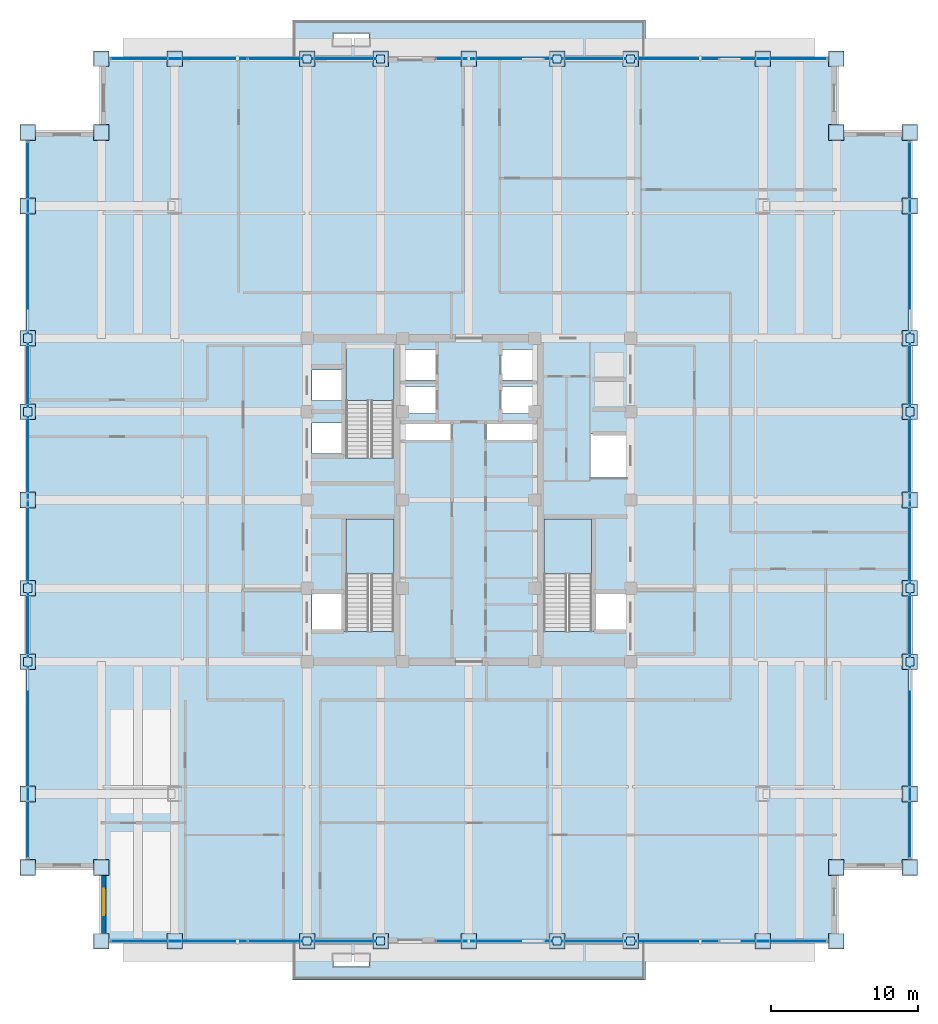
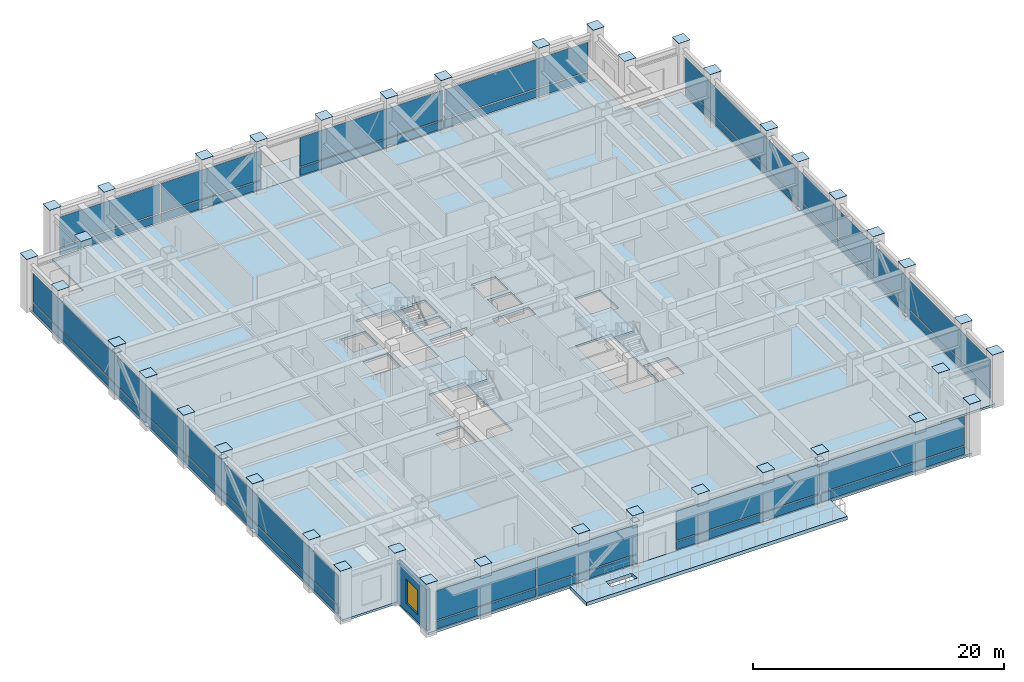
# One storey, part 22 of 33: 80 plates, 6 slabs, 1 wall, 1 window, 1 opening, 9 elements without a shape of their own.
"""IFC4 building model written with IfcOpenShell, lengths in metres."""

from ifc_helpers import new_model, si_unit, direction, frame, frame_2d, origin, origin_2d, place, context, subcontext, project, spatial, polyline, rectangle, outline, extrude, source, transform, mapped, material, layer, layer_set, type_object, element, fill, aggregate, save


model = new_model("IFC4")

# Units and contexts
model_context = context("Model", 3, precision=1e-05, world=origin(), true_north=direction((0.0, 1.0)))
body_context = subcontext(model_context, "Body", "Model", "MODEL_VIEW")
ifc_project = project(units=[si_unit("LENGTHUNIT", "METRE"), si_unit("AREAUNIT", "SQUARE_METRE"), si_unit("VOLUMEUNIT", "CUBIC_METRE"), si_unit("PLANEANGLEUNIT", "RADIAN"), si_unit("MASSUNIT", "GRAM", prefix="KILO")], contexts=[model_context])

# Site, building, storey
site_placement = place(None, origin())
site = spatial("IfcSite", under=ifc_project, at=site_placement, CompositionType="ELEMENT")
building_placement = place(site_placement, origin())
building = spatial("IfcBuilding", under=site, at=building_placement, Name="Khorayat Bourse Tower", CompositionType="ELEMENT")
storey_placement = place(building_placement, frame((0.0, 0.0, 263.10009765625)))
storey = spatial("IfcBuildingStorey", under=building, at=storey_placement, Name="L62", CompositionType="ELEMENT", Elevation=263.10009765625)

# Stair, slab
ifc_material_1 = material(Name="Concrete C40/50", Category="concrete")
stair_type = type_object("IfcStairType", Name="STR-CORE-1550", PredefinedType="HALF_TURN_STAIR", material=ifc_material_1)
stair_1_placement = place(storey_placement, origin())
stair_1 = element("IfcStair", 1, at=stair_1_placement, inside=storey, type_object=stair_type, Name="L62 Exit Stair ST-1", PredefinedType="HALF_TURN_STAIR")
ifc_layer_1 = layer(ifc_material_1, 0.199951171875)
ifc_layer_set_1 = layer_set([ifc_layer_1], Name="Concrete C40/50")
slab_type_1 = type_object("IfcSlabType", Name="SLB-LANDING-200", PredefinedType="LANDING", material=ifc_layer_set_1)
slab_1_placement = place(storey_placement, frame((0.0, 0.0, 2.39990234375)))
slab_1 = element("IfcSlab", 2, at=slab_1_placement, type_object=slab_type_1, Name="ST-1 landing 1", PredefinedType="LANDING", context=body_context, shape_type="SweptSolid", body=[
    extrude(outline(polyline([(-5.10009765625, -5.030029296875), (-5.10009765625, -1.300048828125), (-8.35009765625, -1.300048828125), (-8.35009765625, -5.030029296875), (-5.10009765625, -5.030029296875)])), origin(), (0.0, 0.0, 1.0), 0.199951171875),
])
aggregate(stair_1, [slab_1])

stair_2_placement = place(storey_placement, origin())
stair_2 = element("IfcStair", 3, at=stair_2_placement, inside=storey, type_object=stair_type, Name="L62 Exit Stair ST-2", PredefinedType="HALF_TURN_STAIR")
slab_2_placement = place(storey_placement, frame((0.0, 0.0, 2.39990234375)))
slab_2 = element("IfcSlab", 4, at=slab_2_placement, type_object=slab_type_1, Name="ST-2 landing 1", PredefinedType="LANDING", context=body_context, shape_type="SweptSolid", body=[
    extrude(outline(polyline([(-5.10009765625, 6.77001953125), (-5.10009765625, 10.5), (-8.35009765625, 10.5), (-8.35009765625, 6.77001953125), (-5.10009765625, 6.77001953125)])), origin(), (0.0, 0.0, 1.0), 0.199951171875),
])
aggregate(stair_2, [slab_2])

stair_3_placement = place(storey_placement, origin())
stair_3 = element("IfcStair", 5, at=stair_3_placement, inside=storey, type_object=stair_type, Name="L62 Exit Stair ST-3", PredefinedType="HALF_TURN_STAIR")
slab_3_placement = place(storey_placement, frame((0.0, 0.0, 2.39990234375)))
slab_3 = element("IfcSlab", 6, at=slab_3_placement, type_object=slab_type_1, Name="ST-3 landing 1", PredefinedType="LANDING", context=body_context, shape_type="SweptSolid", body=[
    extrude(outline(polyline([(8.35009765625, -5.030029296875), (8.35009765625, -1.300048828125), (5.10009765625, -1.300048828125), (5.10009765625, -5.030029296875), (8.35009765625, -5.030029296875)])), origin(), (0.0, 0.0, 1.0), 0.199951171875),
])
aggregate(stair_3, [slab_3])

# Slabs
ifc_layer_2 = layer(ifc_material_1, 0.219970703125)
ifc_layer_set_2 = layer_set([ifc_layer_2], Name="Concrete C40/50")
slab_type_2 = type_object("IfcSlabType", Name="SLB-OFFICE-220", PredefinedType="FLOOR", material=ifc_layer_set_2)
slab_4_placement = place(storey_placement, frame((0.0, 0.0, -0.22021484375)))
element("IfcSlab", 7, at=slab_4_placement, inside=storey, type_object=slab_type_2, Name="L62 Main Floor Slab", PredefinedType="FLOOR", context=body_context, shape_type="SweptSolid", body=[
    extrude(outline(polyline([(-25.0, -30.0), (25.0, -30.0), (25.0, -25.0), (30.0, -25.0), (30.0, 25.0), (25.0, 25.0), (25.0, 30.0), (-25.0, 30.0), (-25.0, 25.0), (-30.0, 25.0), (-30.0, -25.0), (-25.0, -25.0), (-25.0, -30.0)]), holes=[polyline([(-8.35009765625, -8.945068359375), (-5.10009765625, -8.945068359375), (-5.10009765625, -1.300048828125), (-8.35009765625, -1.300048828125), (-8.35009765625, -8.945068359375)]), polyline([(-8.35009765625, 2.85498046875), (-5.10009765625, 2.85498046875), (-5.10009765625, 10.5), (-8.35009765625, 10.5), (-8.35009765625, 2.85498046875)]), polyline([(5.10009765625, -8.945068359375), (8.35009765625, -8.945068359375), (8.35009765625, -1.300048828125), (5.10009765625, -1.300048828125), (5.10009765625, -8.945068359375)]), polyline([(-4.3798828125, 8.169921875), (-2.1201171875, 8.169921875), (-2.1201171875, 10.22998046875), (-4.3798828125, 10.22998046875), (-4.3798828125, 8.169921875)]), polyline([(2.1201171875, 8.169921875), (4.3798828125, 8.169921875), (4.3798828125, 10.22998046875), (2.1201171875, 10.22998046875), (2.1201171875, 8.169921875)]), polyline([(-4.3798828125, 5.8701171875), (-2.219970703125, 5.8701171875), (-2.219970703125, 7.72998046875), (-4.3798828125, 7.72998046875), (-4.3798828125, 5.8701171875)]), polyline([(2.219970703125, 5.8701171875), (4.3798828125, 5.8701171875), (4.3798828125, 7.72998046875), (2.219970703125, 7.72998046875), (2.219970703125, 5.8701171875)]), polyline([(-10.679931640625, 3.169921875), (-8.419921875, 3.169921875), (-8.419921875, 5.22998046875), (-10.679931640625, 5.22998046875), (-10.679931640625, 3.169921875)]), polyline([(-10.679931640625, 6.77001953125), (-8.419921875, 6.77001953125), (-8.419921875, 8.830078125), (-10.679931640625, 8.830078125), (-10.679931640625, 6.77001953125)]), polyline([(-10.679931640625, -8.929931640625), (-8.419921875, -8.929931640625), (-8.419921875, -6.3701171875), (-10.679931640625, -6.3701171875), (-10.679931640625, -8.929931640625)]), polyline([(8.419921875, -8.929931640625), (10.679931640625, -8.929931640625), (10.679931640625, -6.3701171875), (8.419921875, -6.3701171875), (8.419921875, -8.929931640625)]), polyline([(8.320068359375, 1.52001953125), (10.679931640625, 1.52001953125), (10.679931640625, 4.47998046875), (8.320068359375, 4.47998046875), (8.320068359375, 1.52001953125)]), polyline([(-4.56005859375, 4.080078125), (-1.18994140625, 4.080078125), (-1.18994140625, 5.219970703125), (-4.56005859375, 5.219970703125), (-4.56005859375, 4.080078125)]), polyline([(1.18994140625, 4.080078125), (4.56005859375, 4.080078125), (4.56005859375, 5.219970703125), (1.18994140625, 5.219970703125), (1.18994140625, 4.080078125)])]), origin(), (0.0, 0.0, 1.0), 0.22021484375),
])
ifc_layer_3 = layer(ifc_material_1, 0.340087890625)
ifc_layer_set_3 = layer_set([ifc_layer_3], Name="Concrete C40/50")
slab_type_3 = type_object("IfcSlabType", Name="SLB-SKYGARDEN-340", PredefinedType="FLOOR", material=ifc_layer_set_3)
slab_5_placement = place(storey_placement, frame((0.0, 0.0, -0.340087890625)))
element("IfcSlab", 8, at=slab_5_placement, inside=storey, type_object=slab_type_3, Name="L62 Planted Garden Terrace Slab 01", PredefinedType="FLOOR", context=body_context, shape_type="SweptSolid", body=[
    extrude(outline(polyline([(-12.0, 30.0), (12.0, 30.0), (12.0, 32.64990234375), (-12.0, 32.64990234375), (-12.0, 30.0)]), holes=[polyline([(-9.199951171875, 30.925048828125), (-6.800048828125, 30.925048828125), (-6.800048828125, 31.72509765625), (-9.199951171875, 31.72509765625), (-9.199951171875, 30.925048828125)])]), origin(), (0.0, 0.0, 1.0), 0.340087890625),
])
slab_6_placement = place(storey_placement, frame((0.0, 0.0, -0.340087890625)))
element("IfcSlab", 9, at=slab_6_placement, inside=storey, type_object=slab_type_3, Name="L62 Planted Garden Terrace Slab 02", PredefinedType="FLOOR", context=body_context, shape_type="SweptSolid", body=[
    extrude(outline(polyline([(-12.0, -32.64990234375), (12.0, -32.64990234375), (12.0, -30.0), (-12.0, -30.0), (-12.0, -32.64990234375)]), holes=[polyline([(-9.199951171875, -31.72509765625), (-6.800048828125, -31.72509765625), (-6.800048828125, -30.925048828125), (-9.199951171875, -30.925048828125), (-9.199951171875, -31.72509765625)])]), origin(), (0.0, 0.0, 1.0), 0.340087890625),
])

# Plates
ifc_material_2 = material(Name="Steel EN 10025-2 S355J2", Category="steel")
ifc_layer_4 = layer(ifc_material_2, 0.02490234375)
ifc_layer_set_4 = layer_set([ifc_layer_4], Name="Steel EN 10025-2 S355J2")
plate_type_1 = type_object("IfcPlateType", Name="PLT-ENDCAP-25", PredefinedType="SHEET", material=ifc_layer_set_4)
shared_shape_1 = source(origin(), body_context, "Body", "SweptSolid", [
    extrude(rectangle(XDim=0.56005859375, YDim=0.56005859375, at=origin_2d()), origin(), (0.0, 0.0, 1.0), 0.02490234375),
])
for number, where, z_axis, x_axis, name in (
    (10, (-11.0, -30.0, 0.237548828125), (0.0, 0.0, 1.0), (1.0, 0.0, 0.0), "L62 Perimeter Brace End Plate 001"),
    (11, (-6.0, -30.0, 4.33740234375), (0.0, 0.0, 1.0), (1.0, 0.0, 0.0), "L62 Perimeter Brace End Plate 002"),
    (12, (6.0, -30.0, 0.237548828125), (0.0, 0.0, 1.0), (1.0, 0.0, 0.0), "L62 Perimeter Brace End Plate 003"),
    (13, (11.0, -30.0, 4.33740234375), (0.0, 0.0, 1.0), (1.0, 0.0, 0.0), "L62 Perimeter Brace End Plate 004"),
    (14, (-11.0, 30.0, 0.237548828125), (0.0, 0.0, 1.0), (1.0, 0.0, 0.0), "L62 Perimeter Brace End Plate 005"),
    (15, (-6.0, 30.0, 4.33740234375), (0.0, 0.0, 1.0), (1.0, 0.0, 0.0), "L62 Perimeter Brace End Plate 006"),
    (16, (6.0, 30.0, 0.237548828125), (0.0, 0.0, 1.0), (1.0, 0.0, 0.0), "L62 Perimeter Brace End Plate 007"),
    (17, (11.0, 30.0, 4.33740234375), (0.0, 0.0, 1.0), (1.0, 0.0, 0.0), "L62 Perimeter Brace End Plate 008"),
    (18, (-30.0, -11.0, 0.237548828125), (0.0, 0.0, 1.0), (1.0, 0.0, 0.0), "L62 Perimeter Brace End Plate 009"),
    (19, (-30.0, -6.0, 4.33740234375), (0.0, 0.0, 1.0), (1.0, 0.0, 0.0), "L62 Perimeter Brace End Plate 010"),
    (20, (-30.0, 6.0, 0.237548828125), (0.0, 0.0, 1.0), (1.0, 0.0, 0.0), "L62 Perimeter Brace End Plate 011"),
    (21, (-30.0, 11.0, 4.33740234375), (0.0, 0.0, 1.0), (1.0, 0.0, 0.0), "L62 Perimeter Brace End Plate 012"),
    (22, (30.0, -11.0, 0.237548828125), (0.0, 0.0, 1.0), (1.0, 0.0, 0.0), "L62 Perimeter Brace End Plate 013"),
    (23, (30.0, -6.0, 4.33740234375), (0.0, 0.0, 1.0), (1.0, 0.0, 0.0), "L62 Perimeter Brace End Plate 014"),
    (24, (30.0, 6.0, 0.237548828125), (0.0, 0.0, 1.0), (1.0, 0.0, 0.0), "L62 Perimeter Brace End Plate 015"),
    (25, (30.0, 11.0, 4.33740234375), (0.0, 0.0, 1.0), (1.0, 0.0, 0.0), "L62 Perimeter Brace End Plate 016"),
):
    element("IfcPlate", number, at=place(storey_placement, frame(where, z_axis=z_axis, x_axis=x_axis)), inside=storey, type_object=plate_type_1, Name=name, PredefinedType="SHEET", context=body_context, shape_type="MappedRepresentation", body=[
        mapped(shared_shape_1, transform((0.0, 0.0, 0.0), scale=1.0)),
    ])
shared_shape_2 = source(origin(), body_context, "Body", "SweptSolid", [
    extrude(rectangle(XDim=1.06005859375, YDim=1.06005859375, at=origin_2d()), origin(), (0.0, 0.0, 1.0), 0.02490234375),
])
for number, where, z_axis, x_axis, name in (
    (26, (-30.0, -25.0, 5.199951171875), (0.0, 0.0, 1.0), (1.0, 0.0, 0.0), "L62 Column Top Endcap Plate 001"),
    (27, (-30.0, -20.0, 5.199951171875), (0.0, 0.0, 1.0), (1.0, 0.0, 0.0), "L62 Column Top Endcap Plate 002"),
    (28, (-30.0, -11.0, 5.199951171875), (0.0, 0.0, 1.0), (1.0, 0.0, 0.0), "L62 Column Top Endcap Plate 003"),
    (29, (-30.0, -6.0, 5.199951171875), (0.0, 0.0, 1.0), (1.0, 0.0, 0.0), "L62 Column Top Endcap Plate 004"),
    (30, (-30.0, 0.0, 5.199951171875), (0.0, 0.0, 1.0), (1.0, 0.0, 0.0), "L62 Column Top Endcap Plate 005"),
    (31, (-30.0, 6.0, 5.199951171875), (0.0, 0.0, 1.0), (1.0, 0.0, 0.0), "L62 Column Top Endcap Plate 006"),
    (32, (-30.0, 11.0, 5.199951171875), (0.0, 0.0, 1.0), (1.0, 0.0, 0.0), "L62 Column Top Endcap Plate 007"),
    (33, (-30.0, 20.0, 5.199951171875), (0.0, 0.0, 1.0), (1.0, 0.0, 0.0), "L62 Column Top Endcap Plate 008"),
    (34, (-30.0, 25.0, 5.199951171875), (0.0, 0.0, 1.0), (1.0, 0.0, 0.0), "L62 Column Top Endcap Plate 009"),
    (35, (-25.0, -30.0, 5.199951171875), (0.0, 0.0, 1.0), (1.0, 0.0, 0.0), "L62 Column Top Endcap Plate 010"),
    (36, (-25.0, -25.0, 5.199951171875), (0.0, 0.0, 1.0), (1.0, 0.0, 0.0), "L62 Column Top Endcap Plate 011"),
    (37, (-25.0, 25.0, 5.199951171875), (0.0, 0.0, 1.0), (1.0, 0.0, 0.0), "L62 Column Top Endcap Plate 012"),
    (38, (-25.0, 30.0, 5.199951171875), (0.0, 0.0, 1.0), (1.0, 0.0, 0.0), "L62 Column Top Endcap Plate 013"),
    (39, (-20.0, -30.0, 5.199951171875), (0.0, 0.0, 1.0), (1.0, 0.0, 0.0), "L62 Column Top Endcap Plate 014"),
    (40, (-20.0, 30.0, 5.199951171875), (0.0, 0.0, 1.0), (1.0, 0.0, 0.0), "L62 Column Top Endcap Plate 017"),
    (41, (-11.0, -30.0, 5.199951171875), (0.0, 0.0, 1.0), (1.0, 0.0, 0.0), "L62 Column Top Endcap Plate 018"),
    (42, (-11.0, 30.0, 5.199951171875), (0.0, 0.0, 1.0), (1.0, 0.0, 0.0), "L62 Column Top Endcap Plate 024"),
    (43, (-6.0, -30.0, 5.199951171875), (0.0, 0.0, 1.0), (1.0, 0.0, 0.0), "L62 Column Top Endcap Plate 025"),
    (44, (-6.0, 30.0, 5.199951171875), (0.0, 0.0, 1.0), (1.0, 0.0, 0.0), "L62 Column Top Endcap Plate 026"),
    (45, (0.0, -30.0, 5.199951171875), (0.0, 0.0, 1.0), (1.0, 0.0, 0.0), "L62 Column Top Endcap Plate 032"),
    (46, (0.0, 30.0, 5.199951171875), (0.0, 0.0, 1.0), (1.0, 0.0, 0.0), "L62 Column Top Endcap Plate 033"),
    (47, (6.0, -30.0, 5.199951171875), (0.0, 0.0, 1.0), (1.0, 0.0, 0.0), "L62 Column Top Endcap Plate 039"),
    (48, (6.0, 30.0, 5.199951171875), (0.0, 0.0, 1.0), (1.0, 0.0, 0.0), "L62 Column Top Endcap Plate 040"),
    (49, (11.0, -30.0, 5.199951171875), (0.0, 0.0, 1.0), (1.0, 0.0, 0.0), "L62 Column Top Endcap Plate 041"),
    (50, (11.0, 30.0, 5.199951171875), (0.0, 0.0, 1.0), (1.0, 0.0, 0.0), "L62 Column Top Endcap Plate 047"),
    (51, (20.0, -30.0, 5.199951171875), (0.0, 0.0, 1.0), (1.0, 0.0, 0.0), "L62 Column Top Endcap Plate 048"),
    (52, (20.0, 30.0, 5.199951171875), (0.0, 0.0, 1.0), (1.0, 0.0, 0.0), "L62 Column Top Endcap Plate 051"),
    (53, (25.0, -30.0, 5.199951171875), (0.0, 0.0, 1.0), (1.0, 0.0, 0.0), "L62 Column Top Endcap Plate 052"),
    (54, (25.0, -25.0, 5.199951171875), (0.0, 0.0, 1.0), (1.0, 0.0, 0.0), "L62 Column Top Endcap Plate 053"),
    (55, (25.0, 25.0, 5.199951171875), (0.0, 0.0, 1.0), (1.0, 0.0, 0.0), "L62 Column Top Endcap Plate 054"),
    (56, (25.0, 30.0, 5.199951171875), (0.0, 0.0, 1.0), (1.0, 0.0, 0.0), "L62 Column Top Endcap Plate 055"),
    (57, (30.0, -25.0, 5.199951171875), (0.0, 0.0, 1.0), (1.0, 0.0, 0.0), "L62 Column Top Endcap Plate 056"),
    (58, (30.0, -20.0, 5.199951171875), (0.0, 0.0, 1.0), (1.0, 0.0, 0.0), "L62 Column Top Endcap Plate 057"),
    (59, (30.0, -11.0, 5.199951171875), (0.0, 0.0, 1.0), (1.0, 0.0, 0.0), "L62 Column Top Endcap Plate 058"),
    (60, (30.0, -6.0, 5.199951171875), (0.0, 0.0, 1.0), (1.0, 0.0, 0.0), "L62 Column Top Endcap Plate 059"),
    (61, (30.0, 0.0, 5.199951171875), (0.0, 0.0, 1.0), (1.0, 0.0, 0.0), "L62 Column Top Endcap Plate 060"),
    (62, (30.0, 6.0, 5.199951171875), (0.0, 0.0, 1.0), (1.0, 0.0, 0.0), "L62 Column Top Endcap Plate 061"),
    (63, (30.0, 11.0, 5.199951171875), (0.0, 0.0, 1.0), (1.0, 0.0, 0.0), "L62 Column Top Endcap Plate 062"),
    (64, (30.0, 20.0, 5.199951171875), (0.0, 0.0, 1.0), (1.0, 0.0, 0.0), "L62 Column Top Endcap Plate 063"),
    (65, (30.0, 25.0, 5.199951171875), (0.0, 0.0, 1.0), (1.0, 0.0, 0.0), "L62 Column Top Endcap Plate 064"),
):
    element("IfcPlate", number, at=place(storey_placement, frame(where, z_axis=z_axis, x_axis=x_axis)), inside=storey, type_object=plate_type_1, Name=name, PredefinedType="SHEET", context=body_context, shape_type="MappedRepresentation", body=[
        mapped(shared_shape_2, transform((0.0, 0.0, 0.0), scale=1.0)),
    ])

# Curtain wall, plates
ifc_material_3 = material(Name="Aluminium EN AW-6063 T6", Category="aluminium")
curtain_wall_type = type_object("IfcCurtainWallType", Name="CW-SYS-05", PredefinedType="NOTDEFINED", material=ifc_material_3)
curtain_wall_1_placement = place(storey_placement, origin())
curtain_wall_1 = element("IfcCurtainWall", 66, at=curtain_wall_1_placement, inside=storey, type_object=curtain_wall_type, Name="L62 Curtain Wall CW-L62-S1", PredefinedType="NOTDEFINED")
ifc_material_4 = material(Name="Honed desert limestone insulated spandrel", Category="masonry")
ifc_layer_5 = layer(ifc_material_4, 0.06494140625)
ifc_layer_set_5 = layer_set([ifc_layer_5], Name="Honed desert limestone insulated spandrel")
plate_type_2 = type_object("IfcPlateType", Name="CWP-SPAND-03", PredefinedType="CURTAIN_PANEL", material=ifc_layer_set_5)
shared_shape_3 = source(origin(), body_context, "Body", "SweptSolid", [
    extrude(rectangle(XDim=9.18994140625, YDim=0.06494140625, at=origin_2d()), origin(), (0.0, 0.0, 1.0), 0.77001953125),
])
plate_1_placement = place(storey_placement, frame((-19.715087890625, -30.0, 0.119873046875), z_axis=(0.0, 0.0, 1.0), x_axis=(1.0, 0.0, 0.0)))
plate_1 = element("IfcPlate", 67, at=plate_1_placement, type_object=plate_type_2, Name="CW-L62-S1 Spandrel Panel 1-1", PredefinedType="CURTAIN_PANEL", context=body_context, shape_type="MappedRepresentation", body=[
    mapped(shared_shape_3, transform((0.0, 0.0, 0.0), scale=1.0)),
])
plate_2_placement = place(storey_placement, frame((-10.385009765625, -30.0, 0.119873046875), z_axis=(0.0, 0.0, 1.0), x_axis=(1.0, 0.0, 0.0)))
plate_2 = element("IfcPlate", 68, at=plate_2_placement, type_object=plate_type_2, Name="CW-L62-S1 Spandrel Panel 2-1", PredefinedType="CURTAIN_PANEL", context=body_context, shape_type="MappedRepresentation", body=[
    mapped(shared_shape_3, transform((0.0, 0.0, 0.0), scale=1.0)),
])

curtain_wall_2_placement = place(storey_placement, origin())
curtain_wall_2 = element("IfcCurtainWall", 69, at=curtain_wall_2_placement, inside=storey, type_object=curtain_wall_type, Name="L62 Curtain Wall CW-L62-N1", PredefinedType="NOTDEFINED")
plate_3_placement = place(storey_placement, frame((-19.715087890625, 30.0, 0.119873046875), z_axis=(0.0, 0.0, 1.0), x_axis=(1.0, 0.0, 0.0)))
plate_3 = element("IfcPlate", 70, at=plate_3_placement, type_object=plate_type_2, Name="CW-L62-N1 Spandrel Panel 1-1", PredefinedType="CURTAIN_PANEL", context=body_context, shape_type="MappedRepresentation", body=[
    mapped(shared_shape_3, transform((0.0, 0.0, 0.0), scale=1.0)),
])
plate_4_placement = place(storey_placement, frame((-10.385009765625, 30.0, 0.119873046875), z_axis=(0.0, 0.0, 1.0), x_axis=(1.0, 0.0, 0.0)))
plate_4 = element("IfcPlate", 71, at=plate_4_placement, type_object=plate_type_2, Name="CW-L62-N1 Spandrel Panel 2-1", PredefinedType="CURTAIN_PANEL", context=body_context, shape_type="MappedRepresentation", body=[
    mapped(shared_shape_3, transform((0.0, 0.0, 0.0), scale=1.0)),
])

# Plate
ifc_material_5 = material(Name="Low-E solar-control laminated double glazing", Category="glass")
ifc_layer_6 = layer(ifc_material_5, 0.035888671875)
ifc_layer_set_6 = layer_set([ifc_layer_6], Name="Low-E solar-control laminated double glazing")
plate_type_3 = type_object("IfcPlateType", Name="CWP-VIS-01", PredefinedType="CURTAIN_PANEL", material=ifc_layer_set_6)
shared_shape_4 = source(origin(), body_context, "Body", "SweptSolid", [
    extrude(rectangle(XDim=9.18994140625, YDim=0.035888671875, at=origin_2d()), origin(), (0.0, 0.0, 1.0), 2.820068359375),
])
plate_5_placement = place(storey_placement, frame((-19.715087890625, -30.0, 1.009765625), z_axis=(0.0, 0.0, 1.0), x_axis=(1.0, 0.0, 0.0)))
plate_5 = element("IfcPlate", 72, at=plate_5_placement, type_object=plate_type_3, Name="CW-L62-S1 Vision Panel 1-2", PredefinedType="CURTAIN_PANEL", context=body_context, shape_type="MappedRepresentation", body=[
    mapped(shared_shape_4, transform((0.0, 0.0, 0.0), scale=1.0)),
])

plate_6_placement = place(storey_placement, frame((-10.385009765625, -30.0, 1.009765625), z_axis=(0.0, 0.0, 1.0), x_axis=(1.0, 0.0, 0.0)))
plate_6 = element("IfcPlate", 73, at=plate_6_placement, type_object=plate_type_3, Name="CW-L62-S1 Vision Panel 2-2", PredefinedType="CURTAIN_PANEL", context=body_context, shape_type="MappedRepresentation", body=[
    mapped(shared_shape_4, transform((0.0, 0.0, 0.0), scale=1.0)),
])

aggregate(curtain_wall_1, [plate_1, plate_5, plate_2, plate_6])

plate_7_placement = place(storey_placement, frame((-19.715087890625, 30.0, 1.009765625), z_axis=(0.0, 0.0, 1.0), x_axis=(1.0, 0.0, 0.0)))
plate_7 = element("IfcPlate", 74, at=plate_7_placement, type_object=plate_type_3, Name="CW-L62-N1 Vision Panel 1-2", PredefinedType="CURTAIN_PANEL", context=body_context, shape_type="MappedRepresentation", body=[
    mapped(shared_shape_4, transform((0.0, 0.0, 0.0), scale=1.0)),
])

plate_8_placement = place(storey_placement, frame((-10.385009765625, 30.0, 1.009765625), z_axis=(0.0, 0.0, 1.0), x_axis=(1.0, 0.0, 0.0)))
plate_8 = element("IfcPlate", 75, at=plate_8_placement, type_object=plate_type_3, Name="CW-L62-N1 Vision Panel 2-2", PredefinedType="CURTAIN_PANEL", context=body_context, shape_type="MappedRepresentation", body=[
    mapped(shared_shape_4, transform((0.0, 0.0, 0.0), scale=1.0)),
])

aggregate(curtain_wall_2, [plate_3, plate_7, plate_4, plate_8])

# Curtain wall, plates
curtain_wall_3_placement = place(storey_placement, origin())
curtain_wall_3 = element("IfcCurtainWall", 76, at=curtain_wall_3_placement, inside=storey, type_object=curtain_wall_type, Name="L62 Curtain Wall CW-L62-S2", PredefinedType="NOTDEFINED")
shared_shape_5 = source(origin(), body_context, "Body", "SweptSolid", [
    extrude(rectangle(XDim=13.18994140625, YDim=0.06494140625, at=origin_2d()), origin(), (0.0, 0.0, 1.0), 0.77001953125),
])
plate_9_placement = place(storey_placement, frame((4.385009765625, -30.0, 0.119873046875), z_axis=(0.0, 0.0, 1.0), x_axis=(1.0, 0.0, 0.0)))
plate_9 = element("IfcPlate", 77, at=plate_9_placement, type_object=plate_type_2, Name="CW-L62-S2 Spandrel Panel 1-1", PredefinedType="CURTAIN_PANEL", context=body_context, shape_type="MappedRepresentation", body=[
    mapped(shared_shape_5, transform((0.0, 0.0, 0.0), scale=1.0)),
])
plate_10_placement = place(storey_placement, frame((17.715087890625, -30.0, 0.119873046875), z_axis=(0.0, 0.0, 1.0), x_axis=(1.0, 0.0, 0.0)))
plate_10 = element("IfcPlate", 78, at=plate_10_placement, type_object=plate_type_2, Name="CW-L62-S2 Spandrel Panel 2-1", PredefinedType="CURTAIN_PANEL", context=body_context, shape_type="MappedRepresentation", body=[
    mapped(shared_shape_5, transform((0.0, 0.0, 0.0), scale=1.0)),
])

curtain_wall_4_placement = place(storey_placement, origin())
curtain_wall_4 = element("IfcCurtainWall", 79, at=curtain_wall_4_placement, inside=storey, type_object=curtain_wall_type, Name="L62 Curtain Wall CW-L62-N2", PredefinedType="NOTDEFINED")
plate_11_placement = place(storey_placement, frame((4.385009765625, 30.0, 0.119873046875), z_axis=(0.0, 0.0, 1.0), x_axis=(1.0, 0.0, 0.0)))
plate_11 = element("IfcPlate", 80, at=plate_11_placement, type_object=plate_type_2, Name="CW-L62-N2 Spandrel Panel 1-1", PredefinedType="CURTAIN_PANEL", context=body_context, shape_type="MappedRepresentation", body=[
    mapped(shared_shape_5, transform((0.0, 0.0, 0.0), scale=1.0)),
])
plate_12_placement = place(storey_placement, frame((17.715087890625, 30.0, 0.119873046875), z_axis=(0.0, 0.0, 1.0), x_axis=(1.0, 0.0, 0.0)))
plate_12 = element("IfcPlate", 81, at=plate_12_placement, type_object=plate_type_2, Name="CW-L62-N2 Spandrel Panel 2-1", PredefinedType="CURTAIN_PANEL", context=body_context, shape_type="MappedRepresentation", body=[
    mapped(shared_shape_5, transform((0.0, 0.0, 0.0), scale=1.0)),
])

# Plate
shared_shape_6 = source(origin(), body_context, "Body", "SweptSolid", [
    extrude(rectangle(XDim=13.18994140625, YDim=0.035888671875, at=origin_2d()), origin(), (0.0, 0.0, 1.0), 2.820068359375),
])
plate_13_placement = place(storey_placement, frame((4.385009765625, -30.0, 1.009765625), z_axis=(0.0, 0.0, 1.0), x_axis=(1.0, 0.0, 0.0)))
plate_13 = element("IfcPlate", 82, at=plate_13_placement, type_object=plate_type_3, Name="CW-L62-S2 Vision Panel 1-2", PredefinedType="CURTAIN_PANEL", context=body_context, shape_type="MappedRepresentation", body=[
    mapped(shared_shape_6, transform((0.0, 0.0, 0.0), scale=1.0)),
])

plate_14_placement = place(storey_placement, frame((17.715087890625, -30.0, 1.009765625), z_axis=(0.0, 0.0, 1.0), x_axis=(1.0, 0.0, 0.0)))
plate_14 = element("IfcPlate", 83, at=plate_14_placement, type_object=plate_type_3, Name="CW-L62-S2 Vision Panel 2-2", PredefinedType="CURTAIN_PANEL", context=body_context, shape_type="MappedRepresentation", body=[
    mapped(shared_shape_6, transform((0.0, 0.0, 0.0), scale=1.0)),
])

aggregate(curtain_wall_3, [plate_9, plate_13, plate_10, plate_14])

plate_15_placement = place(storey_placement, frame((4.385009765625, 30.0, 1.009765625), z_axis=(0.0, 0.0, 1.0), x_axis=(1.0, 0.0, 0.0)))
plate_15 = element("IfcPlate", 84, at=plate_15_placement, type_object=plate_type_3, Name="CW-L62-N2 Vision Panel 1-2", PredefinedType="CURTAIN_PANEL", context=body_context, shape_type="MappedRepresentation", body=[
    mapped(shared_shape_6, transform((0.0, 0.0, 0.0), scale=1.0)),
])

plate_16_placement = place(storey_placement, frame((17.715087890625, 30.0, 1.009765625), z_axis=(0.0, 0.0, 1.0), x_axis=(1.0, 0.0, 0.0)))
plate_16 = element("IfcPlate", 85, at=plate_16_placement, type_object=plate_type_3, Name="CW-L62-N2 Vision Panel 2-2", PredefinedType="CURTAIN_PANEL", context=body_context, shape_type="MappedRepresentation", body=[
    mapped(shared_shape_6, transform((0.0, 0.0, 0.0), scale=1.0)),
])

aggregate(curtain_wall_4, [plate_11, plate_15, plate_12, plate_16])

# Curtain wall, plates
curtain_wall_5_placement = place(storey_placement, origin())
curtain_wall_5 = element("IfcCurtainWall", 86, at=curtain_wall_5_placement, inside=storey, type_object=curtain_wall_type, Name="L62 Curtain Wall CW-L62-W1", PredefinedType="NOTDEFINED")
shared_shape_7 = source(origin(), body_context, "Body", "SweptSolid", [
    extrude(rectangle(XDim=24.239990234375, YDim=0.06494140625, at=origin_2d()), origin(), (0.0, 0.0, 1.0), 0.77001953125),
])
plate_17_placement = place(storey_placement, frame((-30.0, -12.18994140625, 0.119873046875), z_axis=(0.0, 0.0, 1.0), x_axis=(0.0, 1.0, 0.0)))
plate_17 = element("IfcPlate", 87, at=plate_17_placement, type_object=plate_type_2, Name="CW-L62-W1 Spandrel Panel 1-1", PredefinedType="CURTAIN_PANEL", context=body_context, shape_type="MappedRepresentation", body=[
    mapped(shared_shape_7, transform((0.0, 0.0, 0.0), scale=1.0)),
])
plate_18_placement = place(storey_placement, frame((-30.0, 12.18994140625, 0.119873046875), z_axis=(0.0, 0.0, 1.0), x_axis=(0.0, 1.0, 0.0)))
plate_18 = element("IfcPlate", 88, at=plate_18_placement, type_object=plate_type_2, Name="CW-L62-W1 Spandrel Panel 2-1", PredefinedType="CURTAIN_PANEL", context=body_context, shape_type="MappedRepresentation", body=[
    mapped(shared_shape_7, transform((0.0, 0.0, 0.0), scale=1.0)),
])

curtain_wall_6_placement = place(storey_placement, origin())
curtain_wall_6 = element("IfcCurtainWall", 89, at=curtain_wall_6_placement, inside=storey, type_object=curtain_wall_type, Name="L62 Curtain Wall CW-L62-E1", PredefinedType="NOTDEFINED")
plate_19_placement = place(storey_placement, frame((30.0, -12.18994140625, 0.119873046875), z_axis=(0.0, 0.0, 1.0), x_axis=(0.0, 1.0, 0.0)))
plate_19 = element("IfcPlate", 90, at=plate_19_placement, type_object=plate_type_2, Name="CW-L62-E1 Spandrel Panel 1-1", PredefinedType="CURTAIN_PANEL", context=body_context, shape_type="MappedRepresentation", body=[
    mapped(shared_shape_7, transform((0.0, 0.0, 0.0), scale=1.0)),
])
plate_20_placement = place(storey_placement, frame((30.0, 12.18994140625, 0.119873046875), z_axis=(0.0, 0.0, 1.0), x_axis=(0.0, 1.0, 0.0)))
plate_20 = element("IfcPlate", 91, at=plate_20_placement, type_object=plate_type_2, Name="CW-L62-E1 Spandrel Panel 2-1", PredefinedType="CURTAIN_PANEL", context=body_context, shape_type="MappedRepresentation", body=[
    mapped(shared_shape_7, transform((0.0, 0.0, 0.0), scale=1.0)),
])

# Plate
shared_shape_8 = source(origin(), body_context, "Body", "SweptSolid", [
    extrude(rectangle(XDim=24.239990234375, YDim=0.035888671875, at=origin_2d()), origin(), (0.0, 0.0, 1.0), 2.820068359375),
])
plate_21_placement = place(storey_placement, frame((-30.0, -12.18994140625, 1.009765625), z_axis=(0.0, 0.0, 1.0), x_axis=(0.0, 1.0, 0.0)))
plate_21 = element("IfcPlate", 92, at=plate_21_placement, type_object=plate_type_3, Name="CW-L62-W1 Vision Panel 1-2", PredefinedType="CURTAIN_PANEL", context=body_context, shape_type="MappedRepresentation", body=[
    mapped(shared_shape_8, transform((0.0, 0.0, 0.0), scale=1.0)),
])

plate_22_placement = place(storey_placement, frame((-30.0, 12.18994140625, 1.009765625), z_axis=(0.0, 0.0, 1.0), x_axis=(0.0, 1.0, 0.0)))
plate_22 = element("IfcPlate", 93, at=plate_22_placement, type_object=plate_type_3, Name="CW-L62-W1 Vision Panel 2-2", PredefinedType="CURTAIN_PANEL", context=body_context, shape_type="MappedRepresentation", body=[
    mapped(shared_shape_8, transform((0.0, 0.0, 0.0), scale=1.0)),
])

aggregate(curtain_wall_5, [plate_17, plate_21, plate_18, plate_22])

plate_23_placement = place(storey_placement, frame((30.0, -12.18994140625, 1.009765625), z_axis=(0.0, 0.0, 1.0), x_axis=(0.0, 1.0, 0.0)))
plate_23 = element("IfcPlate", 94, at=plate_23_placement, type_object=plate_type_3, Name="CW-L62-E1 Vision Panel 1-2", PredefinedType="CURTAIN_PANEL", context=body_context, shape_type="MappedRepresentation", body=[
    mapped(shared_shape_8, transform((0.0, 0.0, 0.0), scale=1.0)),
])

plate_24_placement = place(storey_placement, frame((30.0, 12.18994140625, 1.009765625), z_axis=(0.0, 0.0, 1.0), x_axis=(0.0, 1.0, 0.0)))
plate_24 = element("IfcPlate", 95, at=plate_24_placement, type_object=plate_type_3, Name="CW-L62-E1 Vision Panel 2-2", PredefinedType="CURTAIN_PANEL", context=body_context, shape_type="MappedRepresentation", body=[
    mapped(shared_shape_8, transform((0.0, 0.0, 0.0), scale=1.0)),
])

aggregate(curtain_wall_6, [plate_19, plate_23, plate_20, plate_24])

# Wall, opening, window
ifc_material_6 = material(Name="Precast concrete C45/55", Category="concrete")
ifc_layer_7 = layer(ifc_material_6, 0.320068359375)
ifc_layer_set_7 = layer_set([ifc_layer_7], Name="Precast concrete C45/55")
wall_type = type_object("IfcWallType", Name="WAL-EXT-STONE-320", PredefinedType="STANDARD", material=ifc_layer_set_7)
shared_shape_9 = source(origin(), body_context, "Body", "SweptSolid", [
    extrude(rectangle(XDim=4.679931640625, YDim=0.320068359375, at=frame_2d((2.33984375, 0.0))), origin(), (0.0, 0.0, 1.0), 3.98388671875),
])
wall_placement = place(storey_placement, frame((-24.840087890625, -29.679931640625, 0.0), z_axis=(0.0, 0.0, 1.0), x_axis=(0.0, 1.0, 0.0)))
wall = element("IfcWall", 96, at=wall_placement, inside=storey, type_object=wall_type, Name="L62 Re-Entrant Notch Limestone Wall SW-V", PredefinedType="STANDARD", context=body_context, shape_type="MappedRepresentation", body=[
    mapped(shared_shape_9, transform((0.0, 0.0, 0.0), scale=1.0)),
])
shared_shape_10 = source(origin(), body_context, "Body", "SweptSolid", [
    extrude(rectangle(XDim=1.800048828125, YDim=2.39990234375, at=frame_2d((0.89990234375, 1.199951171875))), frame((0.0, 0.169921875, 0.0), z_axis=(0.0, -1.0, 0.0), x_axis=(1.0, 0.0, 0.0)), (0.0, 0.0, 1.0), 0.340087890625),
])
opening_placement = place(wall_placement, frame((1.43994140625, 0.0, 0.699951171875)))
opening = element("IfcOpeningElement", 97, at=opening_placement, cuts=wall, Name="Opening WN-04", PredefinedType="OPENING", context=body_context, shape_type="MappedRepresentation", body=[
    mapped(shared_shape_10, transform((0.0, 0.0, 0.0), scale=1.0)),
])
ifc_material_7 = material(Name="Low-E acoustic laminated double glazing", Category="glass")
window_type = type_object("IfcWindowType", Name="WIN-NOTCH-1800x2400", PartitioningType="SINGLE_PANEL", PredefinedType="WINDOW", material=ifc_material_7)
shared_shape_11 = source(origin(), body_context, "Body", "SweptSolid", [
    extrude(rectangle(XDim=1.800048828125, YDim=2.39990234375, at=frame_2d((0.89990234375, 1.199951171875))), frame((0.0, 0.030029296875, 0.0), z_axis=(0.0, -1.0, 0.0), x_axis=(1.0, 0.0, 0.0)), (0.0, 0.0, 1.0), 0.06005859375),
])
window_placement = place(opening_placement, origin())
window = element("IfcWindow", 98, at=window_placement, inside=storey, type_object=window_type, Name="L62 Facade Window 1", OverallHeight=2.39990234375, OverallWidth=1.800048828125, PartitioningType="SINGLE_PANEL", PredefinedType="WINDOW", context=body_context, shape_type="MappedRepresentation", body=[
    mapped(shared_shape_11, transform((0.0, 0.0, 0.0), scale=1.0)),
])
fill(opening, window)

save(model, "model.ifc")
